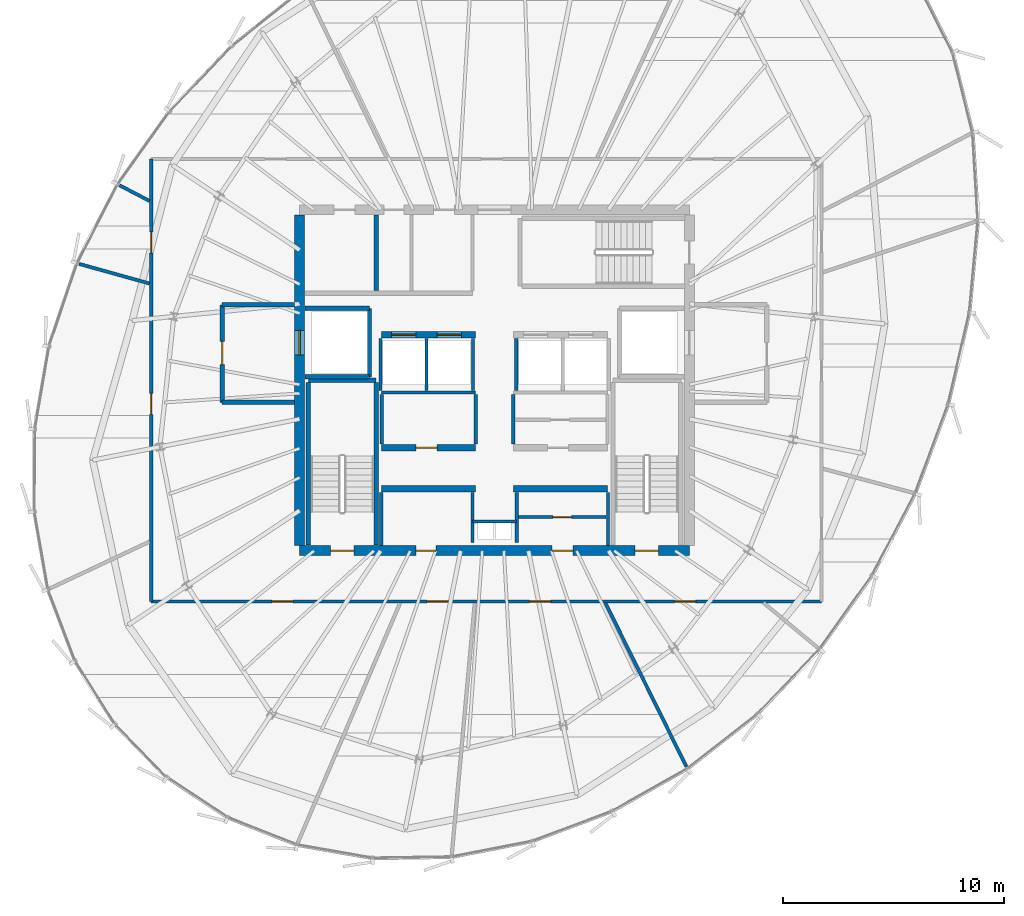
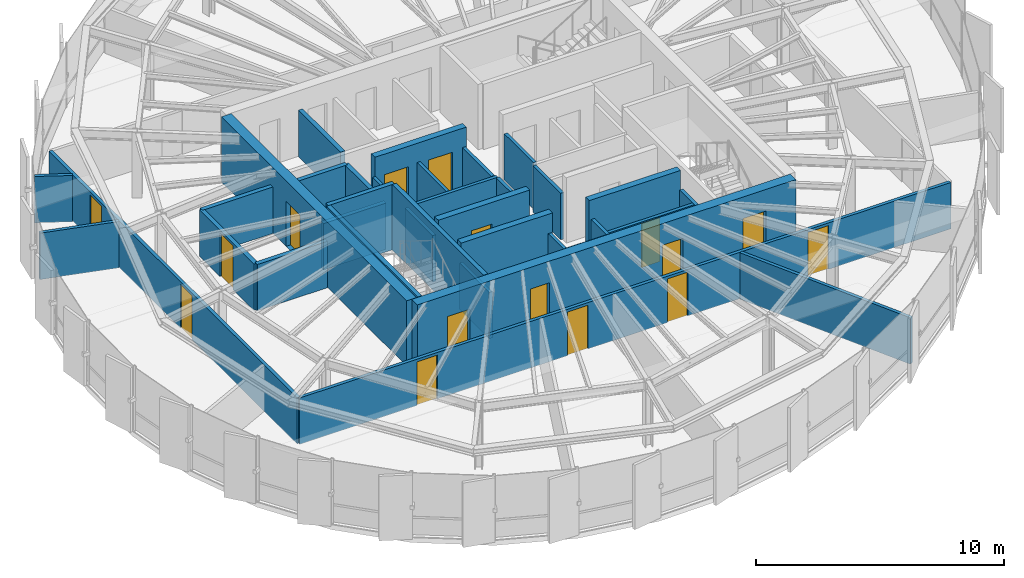
# One storey, part 27 of 33: 35 walls, 16 doors, 16 openings.
"""IFC4 building model written with IfcOpenShell, lengths in metres."""

from ifc_helpers import new_model, si_unit, direction, frame, frame_2d, origin, place, context, subcontext, project, spatial, rectangle, extrude, source, transform, mapped, material, layer, layer_set, type_object, element, fill, save


model = new_model("IFC4")

# Units and contexts
model_context = context("Model", 3, precision=1e-05, world=origin(), true_north=direction((0.0, 1.0)))
body_context = subcontext(model_context, "Body", "Model", "MODEL_VIEW")
ifc_project = project(units=[si_unit("LENGTHUNIT", "METRE"), si_unit("AREAUNIT", "SQUARE_METRE"), si_unit("VOLUMEUNIT", "CUBIC_METRE"), si_unit("PLANEANGLEUNIT", "RADIAN"), si_unit("MASSUNIT", "GRAM", prefix="KILO"), si_unit("THERMODYNAMICTEMPERATUREUNIT", "KELVIN")], contexts=[model_context])

# Site, building, storey
site_placement = place(None, origin())
site = spatial("IfcSite", under=ifc_project, at=site_placement, CompositionType="ELEMENT")
building_placement = place(site_placement, origin())
building = spatial("IfcBuilding", under=site, at=building_placement, Name="Kethvar Cultural Tower", CompositionType="ELEMENT")
storey_placement = place(building_placement, frame((0.0, 0.0, 238.75)))
storey = spatial("IfcBuildingStorey", under=building, at=storey_placement, Name="L62", CompositionType="ELEMENT", Elevation=238.75)

# Wall, openings, doors
ifc_material_1 = material(Name="Concrete C50/60", Category="concrete")
ifc_layer_1 = layer(ifc_material_1, 0.449951171875, Name="Concrete C50/60", Category="concrete")
ifc_layer_set_1 = layer_set([ifc_layer_1], Name="Concrete C50/60 (450 mm)")
wall_type_1 = type_object("IfcWallType", Name="WL-CORE-450", PredefinedType="SHEAR", material=ifc_layer_set_1)
wall_1_placement = place(storey_placement, frame((38.0, 20.10009765625, 0.0), z_axis=(0.0, 0.0, 1.0), x_axis=(1.0, 0.0, 0.0)))
wall_1 = element("IfcWall", 1, at=wall_1_placement, inside=storey, type_object=wall_type_1, Name="L62 Core Shear Wall S", PredefinedType="SHEAR", context=body_context, shape_type="SweptSolid", body=[
    extrude(rectangle(XDim=17.60009765625, YDim=0.449951171875, at=frame_2d((8.800048828125, 0.0))), origin(), (0.0, 0.0, 1.0), 3.2099609375),
])
opening_1_placement = place(wall_1_placement, frame((1.39990234375, 0.0, 0.0)))
opening_1 = element("IfcOpeningElement", 2, at=opening_1_placement, cuts=wall_1, Name="Opening D-L62-S1", PredefinedType="OPENING", context=body_context, shape_type="SweptSolid", body=[
    extrude(rectangle(XDim=1.050048828125, YDim=2.14990234375, at=frame_2d((0.52490234375, 1.074951171875))), frame((0.0, 0.23486328125, 0.0), z_axis=(0.0, -1.0, 0.0), x_axis=(1.0, 0.0, 0.0)), (0.0, 0.0, 1.0), 0.469970703125),
])
opening_2_placement = place(wall_1_placement, frame((15.14990234375, 0.0, 0.0)))
opening_2 = element("IfcOpeningElement", 3, at=opening_2_placement, cuts=wall_1, Name="Opening D-L62-ST2", PredefinedType="OPENING", context=body_context, shape_type="SweptSolid", body=[
    extrude(rectangle(XDim=1.050048828125, YDim=2.14990234375, at=frame_2d((0.52490234375, 1.074951171875))), frame((0.0, 0.23486328125, 0.0), z_axis=(0.0, -1.0, 0.0), x_axis=(1.0, 0.0, 0.0)), (0.0, 0.0, 1.0), 0.469970703125),
])
opening_3_placement = place(wall_1_placement, frame((5.25, 0.0, 0.0)))
opening_3 = element("IfcOpeningElement", 4, at=opening_3_placement, cuts=wall_1, Name="Opening D-L62-V1", PredefinedType="OPENING", context=body_context, shape_type="SweptSolid", body=[
    extrude(rectangle(XDim=0.89990234375, YDim=2.14990234375, at=frame_2d((0.449951171875, 1.074951171875))), frame((0.0, 0.23486328125, 0.0), z_axis=(0.0, -1.0, 0.0), x_axis=(1.0, 0.0, 0.0)), (0.0, 0.0, 1.0), 0.469970703125),
])
opening_4_placement = place(wall_1_placement, frame((11.39990234375, 0.0, 0.0)))
opening_4 = element("IfcOpeningElement", 5, at=opening_4_placement, cuts=wall_1, Name="Opening D-L62-V2", PredefinedType="OPENING", context=body_context, shape_type="SweptSolid", body=[
    extrude(rectangle(XDim=0.949951171875, YDim=2.14990234375, at=frame_2d((0.47509765625, 1.074951171875))), frame((0.0, 0.23486328125, 0.0), z_axis=(0.0, -1.0, 0.0), x_axis=(1.0, 0.0, 0.0)), (0.0, 0.0, 1.0), 0.469970703125),
])
ifc_material_2 = material(Name="Steel S355J2", Category="steel")
door_type_1 = type_object("IfcDoorType", Name="DR-FD60-1050", OperationType="NOTDEFINED", PredefinedType="DOOR", material=ifc_material_2)
shared_shape_1 = source(origin(), body_context, "Body", "SweptSolid", [
    extrude(rectangle(XDim=1.050048828125, YDim=2.14990234375, at=frame_2d((0.52490234375, 1.074951171875))), frame((0.0, 0.02490234375, 0.0), z_axis=(0.0, -1.0, 0.0), x_axis=(1.0, 0.0, 0.0)), (0.0, 0.0, 1.0), 0.050048828125),
])
door_1_placement = place(opening_1_placement, origin())
door_1 = element("IfcDoor", 6, at=door_1_placement, inside=storey, type_object=door_type_1, Name="L62 Exit Stair 1 Door", OperationType="SINGLE_SWING_LEFT", OverallHeight=2.14990234375, OverallWidth=1.050048828125, PredefinedType="DOOR", context=body_context, shape_type="MappedRepresentation", body=[
    mapped(shared_shape_1, transform((0.0, 0.0, 0.0), scale=1.0)),
])
fill(opening_1, door_1)
door_2_placement = place(opening_2_placement, origin())
door_2 = element("IfcDoor", 7, at=door_2_placement, inside=storey, type_object=door_type_1, Name="L62 Exit Stair 2 Door", OperationType="SINGLE_SWING_RIGHT", OverallHeight=2.14990234375, OverallWidth=1.050048828125, PredefinedType="DOOR", context=body_context, shape_type="MappedRepresentation", body=[
    mapped(shared_shape_1, transform((0.0, 0.0, 0.0), scale=1.0)),
])
fill(opening_2, door_2)
ifc_material_3 = material(Name="Architectural Oak Timber", Category="wood")
door_type_2 = type_object("IfcDoorType", Name="DR-FD30-950", OperationType="NOTDEFINED", PredefinedType="DOOR", material=ifc_material_3)
shared_shape_2 = source(origin(), body_context, "Body", "SweptSolid", [
    extrude(rectangle(XDim=0.949951171875, YDim=2.14990234375, at=frame_2d((0.47509765625, 1.074951171875))), frame((0.0, 0.02490234375, 0.0), z_axis=(0.0, -1.0, 0.0), x_axis=(1.0, 0.0, 0.0)), (0.0, 0.0, 1.0), 0.050048828125),
])
door_3_placement = place(opening_4_placement, origin())
door_3 = element("IfcDoor", 8, at=door_3_placement, inside=storey, type_object=door_type_2, Name="L62 Bindery Supply Door", OperationType="SINGLE_SWING_RIGHT", OverallHeight=2.14990234375, OverallWidth=0.949951171875, PredefinedType="DOOR", context=body_context, shape_type="MappedRepresentation", body=[
    mapped(shared_shape_2, transform((0.0, 0.0, 0.0), scale=1.0)),
])
fill(opening_4, door_3)
door_type_3 = type_object("IfcDoorType", Name="DR-FD30-900", OperationType="NOTDEFINED", PredefinedType="DOOR", material=ifc_material_3)
shared_shape_3 = source(origin(), body_context, "Body", "SweptSolid", [
    extrude(rectangle(XDim=0.89990234375, YDim=2.14990234375, at=frame_2d((0.449951171875, 1.074951171875))), frame((0.0, 0.02490234375, 0.0), z_axis=(0.0, -1.0, 0.0), x_axis=(1.0, 0.0, 0.0)), (0.0, 0.0, 1.0), 0.050048828125),
])
door_4_placement = place(opening_3_placement, origin())
door_4 = element("IfcDoor", 9, at=door_4_placement, inside=storey, type_object=door_type_3, Name="L62 Folio Vault Door", OperationType="SINGLE_SWING_LEFT", OverallHeight=2.14990234375, OverallWidth=0.89990234375, PredefinedType="DOOR", context=body_context, shape_type="MappedRepresentation", body=[
    mapped(shared_shape_3, transform((0.0, 0.0, 0.0), scale=1.0)),
])
fill(opening_3, door_4)

# Wall, opening, door
wall_2_placement = place(storey_placement, frame((38.0, 35.260009765625, 0.0), z_axis=(0.0, 0.0, 1.0), x_axis=(0.0, -1.0, 0.0)))
wall_2 = element("IfcWall", 10, at=wall_2_placement, inside=storey, type_object=wall_type_1, Name="L62 Core Shear Wall W", PredefinedType="SHEAR", context=body_context, shape_type="SweptSolid", body=[
    extrude(rectangle(XDim=14.919921875, YDim=0.449951171875, at=frame_2d((7.4599609375, 0.0))), origin(), (0.0, 0.0, 1.0), 3.2099609375),
])
opening_5_placement = place(wall_2_placement, frame((5.2099609375, 0.0, 0.0)))
opening_5 = element("IfcOpeningElement", 11, at=opening_5_placement, cuts=wall_2, Name="Opening LD-1", PredefinedType="OPENING", context=body_context, shape_type="SweptSolid", body=[
    extrude(rectangle(XDim=1.10009765625, YDim=2.199951171875, at=frame_2d((0.550048828125, 1.10009765625))), frame((0.0, 0.23486328125, 0.0), z_axis=(0.0, -1.0, 0.0), x_axis=(1.0, 0.0, 0.0)), (0.0, 0.0, 1.0), 0.469970703125),
])
door_type_4 = type_object("IfcDoorType", Name="DR-LIFT-SLIDE-1100", OperationType="NOTDEFINED", PredefinedType="DOOR", material=ifc_material_2)
shared_shape_4 = source(origin(), body_context, "Body", "SweptSolid", [
    extrude(rectangle(XDim=1.10009765625, YDim=2.199951171875, at=frame_2d((0.550048828125, 1.10009765625))), frame((0.0, 0.02490234375, 0.0), z_axis=(0.0, -1.0, 0.0), x_axis=(1.0, 0.0, 0.0)), (0.0, 0.0, 1.0), 0.050048828125),
])
door_5_placement = place(opening_5_placement, origin())
door_5 = element("IfcDoor", 12, at=door_5_placement, inside=storey, type_object=door_type_4, Name="L62 Firefighting Lift Landing Door FFL-01", OperationType="SLIDING_TO_LEFT", OverallHeight=2.199951171875, OverallWidth=1.10009765625, PredefinedType="DOOR", context=body_context, shape_type="MappedRepresentation", body=[
    mapped(shared_shape_4, transform((0.0, 0.0, 0.0), scale=1.0)),
])
fill(opening_5, door_5)

# Walls
ifc_material_4 = material(Name="Gypsum Fireboard Partition")
ifc_layer_2 = layer(ifc_material_4, 0.14990234375, Name="Gypsum Fireboard Partition")
ifc_layer_set_2 = layer_set([ifc_layer_2], Name="Gypsum Fireboard Partition (150 mm)")
wall_type_2 = type_object("IfcWallType", Name="WL-FIRE-150", PredefinedType="PARTITIONING", material=ifc_layer_set_2)
wall_3_placement = place(storey_placement, frame((45.800048828125, 21.419921875, 0.0), z_axis=(0.0, 0.0, 1.0), x_axis=(1.0, 0.0, 0.0)))
element("IfcWall", 13, at=wall_3_placement, inside=storey, type_object=wall_type_2, Name="L62 Core Riser Wall", PredefinedType="PARTITIONING", context=body_context, shape_type="SweptSolid", body=[
    extrude(rectangle(XDim=2.0, YDim=0.14990234375, at=frame_2d((1.0, 0.0))), origin(), (0.0, 0.0, 1.0), 2.280029296875),
])
for number, where, z_axis, x_axis, name in (
    (14, (45.800048828125, 20.47998046875, 0.0), (0.0, 0.0, 1.0), (0.0, 1.0, 0.0), "L62 Core Riser West Wall"),
    (15, (47.800048828125, 20.47998046875, 0.0), (0.0, 0.0, 1.0), (0.0, 1.0, 0.0), "L62 Core Riser East Wall"),
):
    element("IfcWall", number, at=place(storey_placement, frame(where, z_axis=z_axis, x_axis=x_axis)), inside=storey, type_object=wall_type_2, Name=name, PredefinedType="PARTITIONING", context=body_context, shape_type="SweptSolid", body=[
        extrude(rectangle(XDim=2.239990234375, YDim=0.14990234375, at=frame_2d((1.1201171875, 0.0))), origin(), (0.0, 0.0, 1.0), 2.280029296875),
    ])
for number, where, z_axis, x_axis, name in (
    (16, (41.679931640625, 20.3349609375, 0.0), (0.0, 0.0, 1.0), (0.0, 1.0, 0.0), "L62 Reclaimed West Outer Wall"),
    (17, (51.919921875, 20.3349609375, 0.0), (0.0, 0.0, 1.0), (0.0, 1.0, 0.0), "L62 Reclaimed East Outer Wall"),
):
    element("IfcWall", number, at=place(storey_placement, frame(where, z_axis=z_axis, x_axis=x_axis)), inside=storey, type_object=wall_type_2, Name=name, PredefinedType="PARTITIONING", context=body_context, shape_type="SweptSolid", body=[
        extrude(rectangle(XDim=2.39501953125, YDim=0.14990234375, at=frame_2d((1.197509765625, 0.0))), origin(), (0.0, 0.0, 1.0), 2.280029296875),
    ])

# Wall, opening, door
wall_4_placement = place(storey_placement, frame((47.8798828125, 21.6201171875, 0.0), z_axis=(0.0, 0.0, 1.0), x_axis=(1.0, 0.0, 0.0)))
wall_4 = element("IfcWall", 18, at=wall_4_placement, inside=storey, type_object=wall_type_2, Name="L62 Pantry Gallery Wall E", PredefinedType="PARTITIONING", context=body_context, shape_type="SweptSolid", body=[
    extrude(rectangle(XDim=3.960205078125, YDim=0.14990234375, at=frame_2d((1.97998046875, 0.0))), origin(), (0.0, 0.0, 1.0), 2.280029296875),
])
opening_6_placement = place(wall_4_placement, frame((1.550048828125, 0.0, 0.0)))
opening_6 = element("IfcOpeningElement", 19, at=opening_6_placement, cuts=wall_4, Name="Opening D-L62-V3", PredefinedType="OPENING", context=body_context, shape_type="SweptSolid", body=[
    extrude(rectangle(XDim=0.85009765625, YDim=2.14990234375, at=frame_2d((0.425048828125, 1.074951171875))), frame((0.0, 0.0849609375, 0.0), z_axis=(0.0, -1.0, 0.0), x_axis=(1.0, 0.0, 0.0)), (0.0, 0.0, 1.0), 0.169921875),
])
door_type_5 = type_object("IfcDoorType", Name="DR-FD30-850", OperationType="NOTDEFINED", PredefinedType="DOOR", material=ifc_material_2)
shared_shape_5 = source(origin(), body_context, "Body", "SweptSolid", [
    extrude(rectangle(XDim=0.85009765625, YDim=2.14990234375, at=frame_2d((0.425048828125, 1.074951171875))), frame((0.0, 0.02490234375, 0.0), z_axis=(0.0, -1.0, 0.0), x_axis=(1.0, 0.0, 0.0)), (0.0, 0.0, 1.0), 0.050048828125),
])
door_6_placement = place(opening_6_placement, origin())
door_6 = element("IfcDoor", 20, at=door_6_placement, inside=storey, type_object=door_type_5, Name="L62 Inner Pantry Gallery Door", OperationType="SINGLE_SWING_RIGHT", OverallHeight=2.14990234375, OverallWidth=0.85009765625, PredefinedType="DOOR", context=body_context, shape_type="MappedRepresentation", body=[
    mapped(shared_shape_5, transform((0.0, 0.0, 0.0), scale=1.0)),
])
fill(opening_6, door_6)

# Walls
wall_5_placement = place(storey_placement, frame((41.699951171875, 27.25, 0.0), z_axis=(0.0, 0.0, 1.0), x_axis=(1.0, 0.0, 0.0)))
element("IfcWall", 21, at=wall_5_placement, inside=storey, type_object=wall_type_2, Name="L62 Reclaimed Mid Wall W", PredefinedType="PARTITIONING", context=body_context, shape_type="SweptSolid", body=[
    extrude(rectangle(XDim=4.25, YDim=0.14990234375, at=frame_2d((2.125, 0.0))), origin(), (0.0, 0.0, 1.0), 2.280029296875),
])
for number, where, z_axis, x_axis, name in (
    (22, (41.699951171875, 24.919921875, 0.0), (0.0, 0.0, 1.0), (0.0, 1.0, 0.0), "L62 Reclaimed Mid Outer W"),
    (23, (45.949951171875, 24.919921875, 0.0), (0.0, 0.0, 1.0), (0.0, 1.0, 0.0), "L62 Reclaimed Mid Spine W"),
    (24, (47.64990234375, 24.919921875, 0.0), (0.0, 0.0, 1.0), (0.0, 1.0, 0.0), "L62 Reclaimed Mid Spine E"),
):
    element("IfcWall", number, at=place(storey_placement, frame(where, z_axis=z_axis, x_axis=x_axis)), inside=storey, type_object=wall_type_2, Name=name, PredefinedType="PARTITIONING", context=body_context, shape_type="SweptSolid", body=[
        extrude(rectangle(XDim=2.239990234375, YDim=0.14990234375, at=frame_2d((1.1201171875, 0.0))), origin(), (0.0, 0.0, 1.0), 2.280029296875),
    ])
for number, where, z_axis, x_axis, name in (
    (25, (41.64990234375, 27.340087890625, 0.0), (0.0, 0.0, 1.0), (0.0, 1.0, 0.0), "L62 High-Rise Lift Shaft Outer Wall W"),
    (26, (43.72509765625, 27.340087890625, 0.0), (0.0, 0.0, 1.0), (0.0, 1.0, 0.0), "L62 High-Rise Lift Shaft Divider W"),
    (27, (45.824951171875, 27.340087890625, 0.0), (0.0, 0.0, 1.0), (0.0, 1.0, 0.0), "L62 High-Rise Lift Shaft Concourse Wall W"),
    (28, (47.77490234375, 27.340087890625, 0.0), (0.0, 0.0, 1.0), (0.0, 1.0, 0.0), "L62 High-Rise Lift Shaft Concourse Wall E"),
):
    element("IfcWall", number, at=place(storey_placement, frame(where, z_axis=z_axis, x_axis=x_axis)), inside=storey, type_object=wall_type_2, Name=name, PredefinedType="PARTITIONING", context=body_context, shape_type="SweptSolid", body=[
        extrude(rectangle(XDim=2.33984375, YDim=0.14990234375, at=frame_2d((1.169921875, 0.0))), origin(), (0.0, 0.0, 1.0), 2.280029296875),
    ])

# Wall, openings, doors
wall_6_placement = place(storey_placement, frame((31.2900390625, 17.806884765625, 0.0), z_axis=(0.0, 0.0, 1.0), x_axis=(1.0, 0.0, 0.0)))
wall_6 = element("IfcWall", 29, at=wall_6_placement, inside=storey, type_object=wall_type_2, Name="L62 Corridor Rated Wall S", PredefinedType="PARTITIONING", context=body_context, shape_type="SweptSolid", body=[
    extrude(rectangle(XDim=30.27392578125, YDim=0.14990234375, at=frame_2d((15.136962890625, 0.0))), origin(), (0.0, 0.0, 1.0), 2.280029296875),
])
opening_7_placement = place(wall_6_placement, frame((5.450439453125, 0.0, 0.0)))
opening_7 = element("IfcOpeningElement", 30, at=opening_7_placement, cuts=wall_6, Name="Opening D-L62-01", PredefinedType="OPENING", context=body_context, shape_type="SweptSolid", body=[
    extrude(rectangle(XDim=0.949951171875, YDim=2.14990234375, at=frame_2d((0.47509765625, 1.074951171875))), frame((0.0, 0.0849609375, 0.0), z_axis=(0.0, -1.0, 0.0), x_axis=(1.0, 0.0, 0.0)), (0.0, 0.0, 1.0), 0.169921875),
])
opening_8_placement = place(wall_6_placement, frame((12.45947265625, 0.0, 0.0)))
opening_8 = element("IfcOpeningElement", 31, at=opening_8_placement, cuts=wall_6, Name="Opening D-L62-02", PredefinedType="OPENING", context=body_context, shape_type="SweptSolid", body=[
    extrude(rectangle(XDim=0.949951171875, YDim=2.14990234375, at=frame_2d((0.47509765625, 1.074951171875))), frame((0.0, 0.0849609375, 0.0), z_axis=(0.0, -1.0, 0.0), x_axis=(1.0, 0.0, 0.0)), (0.0, 0.0, 1.0), 0.169921875),
])
opening_9_placement = place(wall_6_placement, frame((17.093505859375, 0.0, 0.0)))
opening_9 = element("IfcOpeningElement", 32, at=opening_9_placement, cuts=wall_6, Name="Opening D-L62-03", PredefinedType="OPENING", context=body_context, shape_type="SweptSolid", body=[
    extrude(rectangle(XDim=0.949951171875, YDim=2.14990234375, at=frame_2d((0.47509765625, 1.074951171875))), frame((0.0, 0.0849609375, 0.0), z_axis=(0.0, -1.0, 0.0), x_axis=(1.0, 0.0, 0.0)), (0.0, 0.0, 1.0), 0.169921875),
])
opening_10_placement = place(wall_6_placement, frame((23.64111328125, 0.0, 0.0)))
opening_10 = element("IfcOpeningElement", 33, at=opening_10_placement, cuts=wall_6, Name="Opening D-L62-04", PredefinedType="OPENING", context=body_context, shape_type="SweptSolid", body=[
    extrude(rectangle(XDim=0.949951171875, YDim=2.14990234375, at=frame_2d((0.47509765625, 1.074951171875))), frame((0.0, 0.0849609375, 0.0), z_axis=(0.0, -1.0, 0.0), x_axis=(1.0, 0.0, 0.0)), (0.0, 0.0, 1.0), 0.169921875),
])
door_7_placement = place(opening_7_placement, origin())
door_7 = element("IfcDoor", 34, at=door_7_placement, inside=storey, type_object=door_type_2, Name="L62 Executive Boardroom 01 Door", OperationType="SINGLE_SWING_LEFT", OverallHeight=2.14990234375, OverallWidth=0.949951171875, PredefinedType="DOOR", context=body_context, shape_type="MappedRepresentation", body=[
    mapped(shared_shape_2, transform((0.0, 0.0, 0.0), scale=1.0)),
])
fill(opening_7, door_7)
door_8_placement = place(opening_8_placement, origin())
door_8 = element("IfcDoor", 35, at=door_8_placement, inside=storey, type_object=door_type_2, Name="L62 Fellowship Seminar Room 02 Door", OperationType="SINGLE_SWING_RIGHT", OverallHeight=2.14990234375, OverallWidth=0.949951171875, PredefinedType="DOOR", context=body_context, shape_type="MappedRepresentation", body=[
    mapped(shared_shape_2, transform((0.0, 0.0, 0.0), scale=1.0)),
])
fill(opening_8, door_8)
door_9_placement = place(opening_9_placement, origin())
door_9 = element("IfcDoor", 36, at=door_9_placement, inside=storey, type_object=door_type_2, Name="L62 Cultural Lecture Room 03 Door", OperationType="SINGLE_SWING_LEFT", OverallHeight=2.14990234375, OverallWidth=0.949951171875, PredefinedType="DOOR", context=body_context, shape_type="MappedRepresentation", body=[
    mapped(shared_shape_2, transform((0.0, 0.0, 0.0), scale=1.0)),
])
fill(opening_9, door_9)
door_10_placement = place(opening_10_placement, origin())
door_10 = element("IfcDoor", 37, at=door_10_placement, inside=storey, type_object=door_type_2, Name="L62 Digital Media Workspace 04 Door", OperationType="SINGLE_SWING_RIGHT", OverallHeight=2.14990234375, OverallWidth=0.949951171875, PredefinedType="DOOR", context=body_context, shape_type="MappedRepresentation", body=[
    mapped(shared_shape_2, transform((0.0, 0.0, 0.0), scale=1.0)),
])
fill(opening_10, door_10)

wall_7_placement = place(storey_placement, frame((31.2900390625, 37.79296875, 0.0), z_axis=(0.0, 0.0, 1.0), x_axis=(0.0, -1.0, 0.0)))
wall_7 = element("IfcWall", 38, at=wall_7_placement, inside=storey, type_object=wall_type_2, Name="L62 Corridor Rated Wall W", PredefinedType="PARTITIONING", context=body_context, shape_type="SweptSolid", body=[
    extrude(rectangle(XDim=19.986083984375, YDim=0.14990234375, at=frame_2d((9.9931640625, 0.0))), origin(), (0.0, 0.0, 1.0), 2.280029296875),
])
opening_11_placement = place(wall_7_placement, frame((3.2958984375, 0.0, 0.0)))
opening_11 = element("IfcOpeningElement", 39, at=opening_11_placement, cuts=wall_7, Name="Opening D-L62-11", PredefinedType="OPENING", context=body_context, shape_type="SweptSolid", body=[
    extrude(rectangle(XDim=0.949951171875, YDim=2.14990234375, at=frame_2d((0.47509765625, 1.074951171875))), frame((0.0, 0.0849609375, 0.0), z_axis=(0.0, -1.0, 0.0), x_axis=(1.0, 0.0, 0.0)), (0.0, 0.0, 1.0), 0.169921875),
])
opening_12_placement = place(wall_7_placement, frame((10.581298828125, 0.0, 0.0)))
opening_12 = element("IfcOpeningElement", 40, at=opening_12_placement, cuts=wall_7, Name="Opening D-L62-12", PredefinedType="OPENING", context=body_context, shape_type="SweptSolid", body=[
    extrude(rectangle(XDim=0.949951171875, YDim=2.14990234375, at=frame_2d((0.47509765625, 1.074951171875))), frame((0.0, 0.0849609375, 0.0), z_axis=(0.0, -1.0, 0.0), x_axis=(1.0, 0.0, 0.0)), (0.0, 0.0, 1.0), 0.169921875),
])
door_11_placement = place(opening_11_placement, origin())
door_11 = element("IfcDoor", 41, at=door_11_placement, inside=storey, type_object=door_type_2, Name="L62 Photography Media Salon 11 Door", OperationType="SINGLE_SWING_LEFT", OverallHeight=2.14990234375, OverallWidth=0.949951171875, PredefinedType="DOOR", context=body_context, shape_type="MappedRepresentation", body=[
    mapped(shared_shape_2, transform((0.0, 0.0, 0.0), scale=1.0)),
])
fill(opening_11, door_11)
door_12_placement = place(opening_12_placement, origin())
door_12 = element("IfcDoor", 42, at=door_12_placement, inside=storey, type_object=door_type_2, Name="L62 Exhibition Print Shop 12 Door", OperationType="SINGLE_SWING_RIGHT", OverallHeight=2.14990234375, OverallWidth=0.949951171875, PredefinedType="DOOR", context=body_context, shape_type="MappedRepresentation", body=[
    mapped(shared_shape_2, transform((0.0, 0.0, 0.0), scale=1.0)),
])
fill(opening_12, door_12)

# Walls
ifc_material_5 = material(Name="Concrete C40/50", Category="concrete")
ifc_layer_3 = layer(ifc_material_5, 0.199951171875, Name="Concrete C40/50", Category="concrete")
ifc_layer_set_3 = layer_set([ifc_layer_3], Name="Concrete C40/50 (200 mm)")
wall_type_3 = type_object("IfcWallType", Name="WL-FIRE-200", PredefinedType="PARTITIONING", material=ifc_layer_set_3)
wall_8_placement = place(storey_placement, frame((41.14990234375, 27.949951171875, 0.0), z_axis=(0.0, 0.0, 1.0), x_axis=(0.0, 1.0, 0.0)))
element("IfcWall", 43, at=wall_8_placement, inside=storey, type_object=wall_type_3, Name="L62 FFL-01 Shaft Inner Wall", PredefinedType="PARTITIONING", context=body_context, shape_type="SweptSolid", body=[
    extrude(rectangle(XDim=3.10009765625, YDim=0.199951171875, at=frame_2d((1.550048828125, 0.0))), origin(), (0.0, 0.0, 1.0), 2.280029296875),
])
for number, where, z_axis, x_axis, name in (
    (44, (38.235107421875, 27.949951171875, 0.0), (0.0, 0.0, 1.0), (1.0, 0.0, 0.0), "L62 FFL-01 Shaft South Wall"),
    (45, (38.235107421875, 31.050048828125, 0.0), (0.0, 0.0, 1.0), (1.0, 0.0, 0.0), "L62 FFL-01 Shaft North Wall"),
):
    element("IfcWall", number, at=place(storey_placement, frame(where, z_axis=z_axis, x_axis=x_axis)), inside=storey, type_object=wall_type_3, Name=name, PredefinedType="PARTITIONING", context=body_context, shape_type="SweptSolid", body=[
        extrude(rectangle(XDim=2.914794921875, YDim=0.199951171875, at=frame_2d((1.45751953125, 0.0))), origin(), (0.0, 0.0, 1.0), 2.280029296875),
    ])

# Wall, opening, door
wall_9_placement = place(storey_placement, frame((34.5, 31.199951171875, 0.0), z_axis=(0.0, 0.0, 1.0), x_axis=(0.0, -1.0, 0.0)))
wall_9 = element("IfcWall", 46, at=wall_9_placement, inside=storey, type_object=wall_type_3, Name="L62 Firefighting Lobby 1 Wall", PredefinedType="PARTITIONING", context=body_context, shape_type="SweptSolid", body=[
    extrude(rectangle(XDim=4.39990234375, YDim=0.199951171875, at=frame_2d((2.199951171875, 0.0))), origin(), (0.0, 0.0, 1.0), 2.280029296875),
])
opening_13_placement = place(wall_9_placement, frame((1.64990234375, 0.0, 0.0)))
opening_13 = element("IfcOpeningElement", 47, at=opening_13_placement, cuts=wall_9, Name="Opening D-L62-F1", PredefinedType="OPENING", context=body_context, shape_type="SweptSolid", body=[
    extrude(rectangle(XDim=1.050048828125, YDim=2.14990234375, at=frame_2d((0.52490234375, 1.074951171875))), frame((0.0, 0.10986328125, 0.0), z_axis=(0.0, -1.0, 0.0), x_axis=(1.0, 0.0, 0.0)), (0.0, 0.0, 1.0), 0.219970703125),
])
door_13_placement = place(opening_13_placement, origin())
door_13 = element("IfcDoor", 48, at=door_13_placement, inside=storey, type_object=door_type_1, Name="L62 Firefighting Lobby 1 Fire Door", OperationType="SINGLE_SWING_LEFT", OverallHeight=2.14990234375, OverallWidth=1.050048828125, PredefinedType="DOOR", context=body_context, shape_type="MappedRepresentation", body=[
    mapped(shared_shape_1, transform((0.0, 0.0, 0.0), scale=1.0)),
])
fill(opening_13, door_13)

# Walls
for number, where, z_axis, x_axis, name in (
    (49, (34.5, 26.800048828125, 0.0), (0.0, 0.0, 1.0), (1.0, 0.0, 0.0), "L62 FF Lobby 1 South Wall"),
    (50, (34.5, 31.199951171875, 0.0), (0.0, 0.0, 1.0), (1.0, 0.0, 0.0), "L62 FF Lobby 1 North Wall"),
):
    element("IfcWall", number, at=place(storey_placement, frame(where, z_axis=z_axis, x_axis=x_axis)), inside=storey, type_object=wall_type_3, Name=name, PredefinedType="PARTITIONING", context=body_context, shape_type="SweptSolid", body=[
        extrude(rectangle(XDim=3.264892578125, YDim=0.199951171875, at=frame_2d((1.63232421875, 0.0))), origin(), (0.0, 0.0, 1.0), 2.280029296875),
    ])
wall_10_placement = place(storey_placement, frame((41.449951171875, 31.85009765625, 0.0), z_axis=(0.0, 0.0, 1.0), x_axis=(0.0, 1.0, 0.0)))
element("IfcWall", 51, at=wall_10_placement, inside=storey, type_object=wall_type_3, Name="L62 NW Core Pocket Wall", PredefinedType="PARTITIONING", context=body_context, shape_type="SweptSolid", body=[
    extrude(rectangle(XDim=3.414794921875, YDim=0.199951171875, at=frame_2d((1.70751953125, 0.0))), origin(), (0.0, 0.0, 1.0), 2.280029296875),
])
ifc_material_6 = material(Name="Gypsum Acoustic Partition")
ifc_layer_4 = layer(ifc_material_6, 0.14990234375, Name="Gypsum Acoustic Partition")
ifc_layer_set_4 = layer_set([ifc_layer_4], Name="Gypsum Acoustic Partition (150 mm)")
wall_type_4 = type_object("IfcWallType", Name="WL-PART-150", PredefinedType="PARTITIONING", material=ifc_layer_set_4)
wall_11_placement = place(storey_placement, frame((51.808837890625, 17.7353515625, 0.0), z_axis=(0.0, 0.0, 1.0), x_axis=(0.443430935713, -0.896308543557, 0.0)))
element("IfcWall", 52, at=wall_11_placement, inside=storey, type_object=wall_type_4, Name="L62 Radial Partition Wall 04", PredefinedType="PARTITIONING", context=body_context, shape_type="SweptSolid", body=[
    extrude(rectangle(XDim=8.244384765625, YDim=0.14990234375, at=frame_2d((4.1220703125, 0.0))), origin(), (0.0, 0.0, 1.0), 2.280029296875),
])
wall_12_placement = place(storey_placement, frame((31.218994140625, 35.8974609375, 0.0), z_axis=(0.0, 0.0, 1.0), x_axis=(-0.887214182948, 0.461357771774, 0.0)))
element("IfcWall", 53, at=wall_12_placement, inside=storey, type_object=wall_type_4, Name="L62 Radial Partition Wall 11", PredefinedType="PARTITIONING", context=body_context, shape_type="SweptSolid", body=[
    extrude(rectangle(XDim=1.526611328125, YDim=0.14990234375, at=frame_2d((0.76318359375, 0.0))), origin(), (0.0, 0.0, 1.0), 2.280029296875),
])
wall_13_placement = place(storey_placement, frame((31.212890625, 32.169189453125, 0.0), z_axis=(0.0, 0.0, 1.0), x_axis=(-0.963294777141, 0.268445846182, 0.0)))
element("IfcWall", 54, at=wall_13_placement, inside=storey, type_object=wall_type_4, Name="L62 Radial Partition Wall 12", PredefinedType="PARTITIONING", context=body_context, shape_type="SweptSolid", body=[
    extrude(rectangle(XDim=3.296875, YDim=0.14990234375, at=frame_2d((1.6484375, 0.0))), origin(), (0.0, 0.0, 1.0), 2.280029296875),
])
ifc_layer_5 = layer(ifc_material_1, 0.300048828125, Name="Concrete C50/60", Category="concrete")
ifc_layer_set_5 = layer_set([ifc_layer_5], Name="Concrete C50/60 (300 mm)")
wall_type_5 = type_object("IfcWallType", Name="WL-SHAFT-300", PredefinedType="SHEAR", material=ifc_layer_set_5)
for number, where, z_axis, x_axis, name in (
    (55, (41.699951171875, 22.89990234375, 0.0), (0.0, 0.0, 1.0), (1.0, 0.0, 0.0), "L62 Core Lift Spine Wall MID1W"),
    (56, (47.64990234375, 22.89990234375, 0.0), (0.0, 0.0, 1.0), (1.0, 0.0, 0.0), "L62 Core Lift Spine Wall MID1E"),
):
    element("IfcWall", number, at=place(storey_placement, frame(where, z_axis=z_axis, x_axis=x_axis)), inside=storey, type_object=wall_type_5, Name=name, PredefinedType="SHEAR", context=body_context, shape_type="SweptSolid", body=[
        extrude(rectangle(XDim=4.25, YDim=0.300048828125, at=frame_2d((2.125, 0.0))), origin(), (0.0, 0.0, 1.0), 3.2099609375),
    ])

# Wall, opening, door
wall_14_placement = place(storey_placement, frame((41.699951171875, 24.75, 0.0), z_axis=(0.0, 0.0, 1.0), x_axis=(1.0, 0.0, 0.0)))
wall_14 = element("IfcWall", 57, at=wall_14_placement, inside=storey, type_object=wall_type_5, Name="L62 Core Lift Spine Wall MID2W", PredefinedType="SHEAR", context=body_context, shape_type="SweptSolid", body=[
    extrude(rectangle(XDim=4.25, YDim=0.300048828125, at=frame_2d((2.125, 0.0))), origin(), (0.0, 0.0, 1.0), 3.2099609375),
])
opening_14_placement = place(wall_14_placement, frame((1.550048828125, 0.0, 0.0)))
opening_14 = element("IfcOpeningElement", 58, at=opening_14_placement, cuts=wall_14, Name="Opening D-L62-M1", PredefinedType="OPENING", context=body_context, shape_type="SweptSolid", body=[
    extrude(rectangle(XDim=0.949951171875, YDim=2.14990234375, at=frame_2d((0.47509765625, 1.074951171875))), frame((0.0, 0.159912109375, 0.0), z_axis=(0.0, -1.0, 0.0), x_axis=(1.0, 0.0, 0.0)), (0.0, 0.0, 1.0), 0.320068359375),
])
door_14_placement = place(opening_14_placement, origin())
door_14 = element("IfcDoor", 59, at=door_14_placement, inside=storey, type_object=door_type_2, Name="L62 Broadcast Rack Door", OperationType="SINGLE_SWING_LEFT", OverallHeight=2.14990234375, OverallWidth=0.949951171875, PredefinedType="DOOR", context=body_context, shape_type="MappedRepresentation", body=[
    mapped(shared_shape_2, transform((0.0, 0.0, 0.0), scale=1.0)),
])
fill(opening_14, door_14)

# Wall, openings, doors
wall_15_placement = place(storey_placement, frame((41.699951171875, 29.85009765625, 0.0), z_axis=(0.0, 0.0, 1.0), x_axis=(1.0, 0.0, 0.0)))
wall_15 = element("IfcWall", 60, at=wall_15_placement, inside=storey, type_object=wall_type_5, Name="L62 Core Lift Spine Wall MID3W", PredefinedType="SHEAR", context=body_context, shape_type="SweptSolid", body=[
    extrude(rectangle(XDim=4.25, YDim=0.300048828125, at=frame_2d((2.125, 0.0))), origin(), (0.0, 0.0, 1.0), 3.2099609375),
])
opening_15_placement = place(wall_15_placement, frame((0.449951171875, 0.0, 0.0)))
opening_15 = element("IfcOpeningElement", 61, at=opening_15_placement, cuts=wall_15, Name="Opening LD-H1", PredefinedType="OPENING", context=body_context, shape_type="SweptSolid", body=[
    extrude(rectangle(XDim=1.10009765625, YDim=2.199951171875, at=frame_2d((0.550048828125, 1.10009765625))), frame((0.0, 0.159912109375, 0.0), z_axis=(0.0, -1.0, 0.0), x_axis=(1.0, 0.0, 0.0)), (0.0, 0.0, 1.0), 0.320068359375),
])
opening_16_placement = place(wall_15_placement, frame((2.5, 0.0, 0.0)))
opening_16 = element("IfcOpeningElement", 62, at=opening_16_placement, cuts=wall_15, Name="Opening LD-H2", PredefinedType="OPENING", context=body_context, shape_type="SweptSolid", body=[
    extrude(rectangle(XDim=1.10009765625, YDim=2.199951171875, at=frame_2d((0.550048828125, 1.10009765625))), frame((0.0, 0.159912109375, 0.0), z_axis=(0.0, -1.0, 0.0), x_axis=(1.0, 0.0, 0.0)), (0.0, 0.0, 1.0), 0.320068359375),
])
door_15_placement = place(opening_15_placement, origin())
door_15 = element("IfcDoor", 63, at=door_15_placement, inside=storey, type_object=door_type_4, Name="L62 High-Rise Lift Landing Door H1", OperationType="SLIDING_TO_LEFT", OverallHeight=2.199951171875, OverallWidth=1.10009765625, PredefinedType="DOOR", context=body_context, shape_type="MappedRepresentation", body=[
    mapped(shared_shape_4, transform((0.0, 0.0, 0.0), scale=1.0)),
])
fill(opening_15, door_15)
door_16_placement = place(opening_16_placement, origin())
door_16 = element("IfcDoor", 64, at=door_16_placement, inside=storey, type_object=door_type_4, Name="L62 High-Rise Lift Landing Door H2", OperationType="SLIDING_TO_LEFT", OverallHeight=2.199951171875, OverallWidth=1.10009765625, PredefinedType="DOOR", context=body_context, shape_type="MappedRepresentation", body=[
    mapped(shared_shape_4, transform((0.0, 0.0, 0.0), scale=1.0)),
])
fill(opening_16, door_16)

# Walls
ifc_layer_6 = layer(ifc_material_1, 0.199951171875, Name="Concrete C50/60", Category="concrete")
ifc_layer_set_6 = layer_set([ifc_layer_6], Name="Concrete C50/60 (200 mm)")
wall_type_6 = type_object("IfcWallType", Name="WL-STSHAFT-200", PredefinedType="SHEAR", material=ifc_layer_set_6)
wall_16_placement = place(storey_placement, frame((38.389892578125, 27.800048828125, 0.0), z_axis=(0.0, 0.0, 1.0), x_axis=(1.0, 0.0, 0.0)))
element("IfcWall", 65, at=wall_16_placement, inside=storey, type_object=wall_type_6, Name="L62 ST-01 Stair Shaft Wall FAR", PredefinedType="SHEAR", context=body_context, shape_type="SweptSolid", body=[
    extrude(rectangle(XDim=3.06005859375, YDim=0.199951171875, at=frame_2d((1.530029296875, 0.0))), origin(), (0.0, 0.0, 1.0), 3.2099609375),
])
for number, where, z_axis, x_axis, name in (
    (66, (41.449951171875, 27.699951171875, 0.0), (0.0, 0.0, 1.0), (0.0, -1.0, 0.0), "L62 ST-01 Stair Shaft Wall LEFT"),
    (67, (38.389892578125, 20.35009765625, 0.0), (0.0, 0.0, 1.0), (0.0, 1.0, 0.0), "L62 ST-01 Stair Shaft Wall RIGHT"),
):
    element("IfcWall", number, at=place(storey_placement, frame(where, z_axis=z_axis, x_axis=x_axis)), inside=storey, type_object=wall_type_6, Name=name, PredefinedType="SHEAR", context=body_context, shape_type="SweptSolid", body=[
        extrude(rectangle(XDim=7.349853515625, YDim=0.199951171875, at=frame_2d((3.6748046875, 0.0))), origin(), (0.0, 0.0, 1.0), 3.2099609375),
    ])

save(model, "model.ifc")
